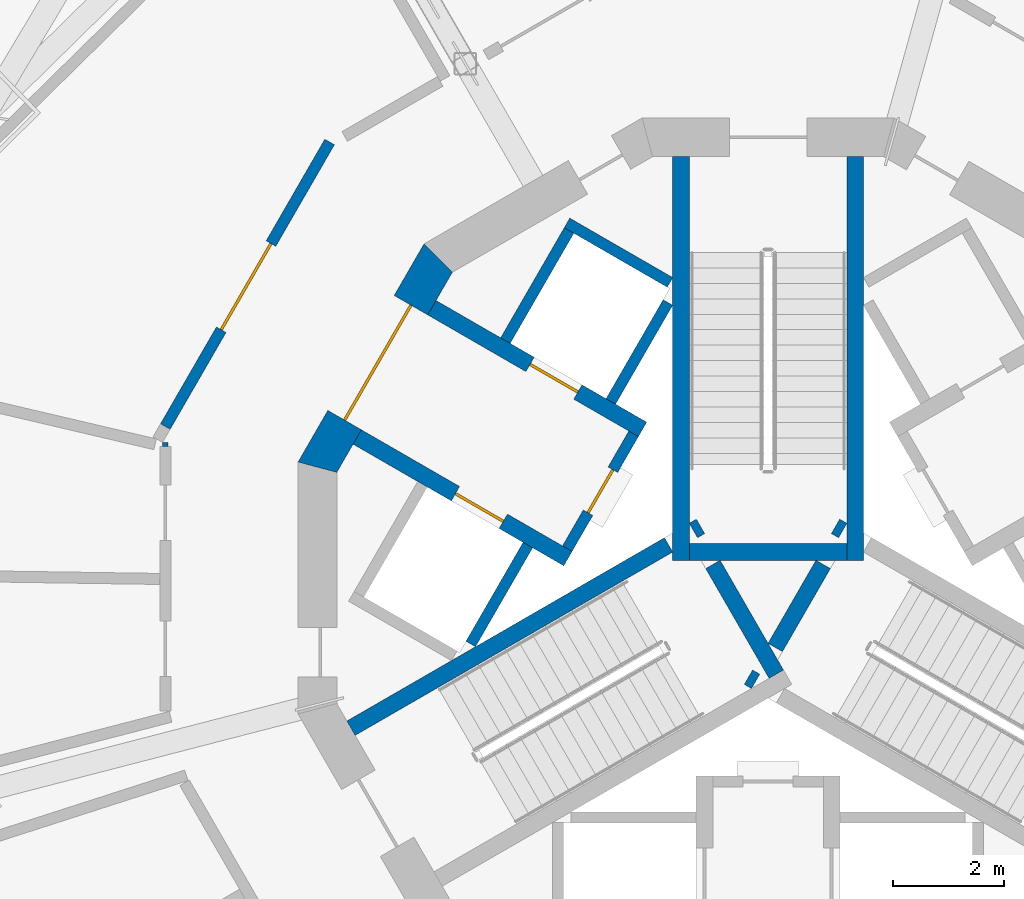
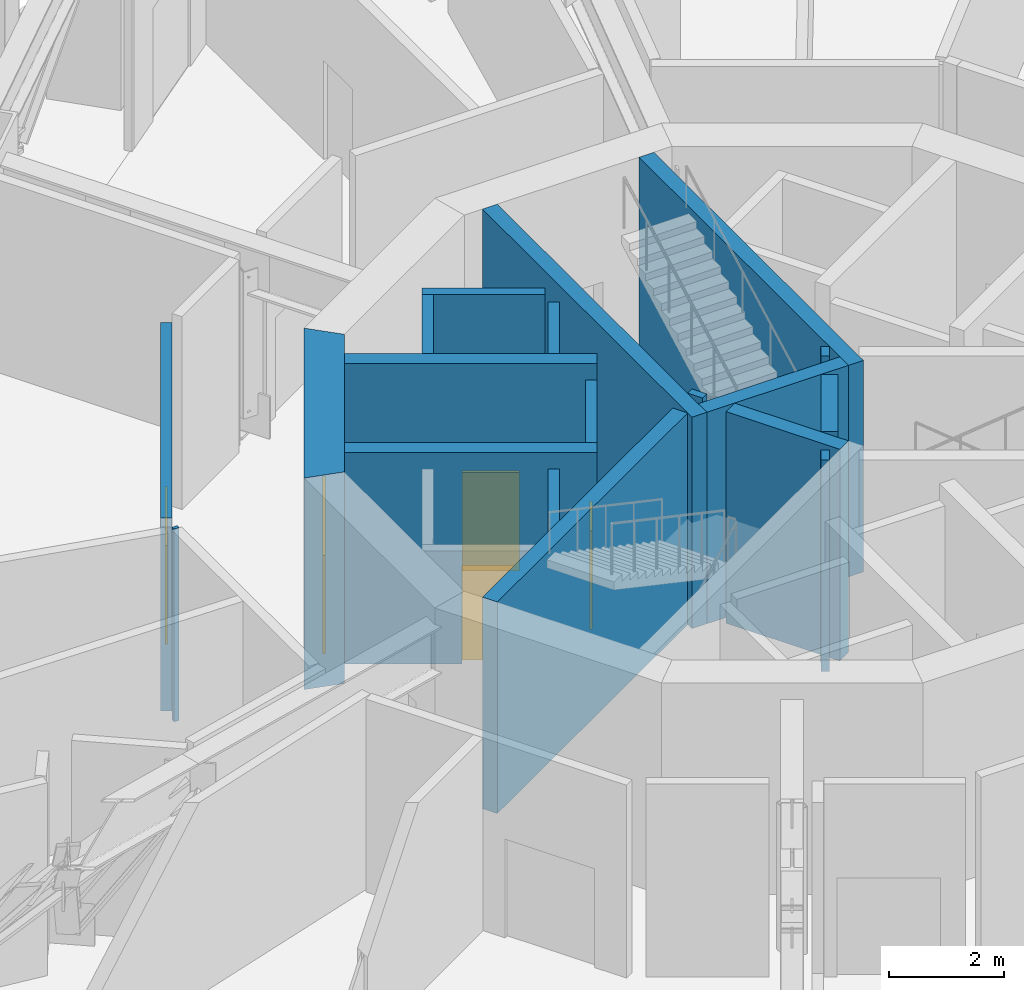
# One storey, part 11 of 27: 19 walls, 5 doors, 5 openings.
"""IFC4 building model written with IfcOpenShell, lengths in metres."""

from ifc_helpers import new_model, si_unit, direction, frame, frame_2d, origin, place, context, subcontext, project, spatial, polyline, rectangle, outline, extrude, material, layer, layer_set, type_object, element, fill, save


model = new_model("IFC4")

# Units and contexts
model_context = context("Model", 3, precision=1e-05, world=origin(), true_north=direction((0.0, 1.0)))
body_context = subcontext(model_context, "Body", "Model", "MODEL_VIEW")
ifc_project = project(units=[si_unit("LENGTHUNIT", "METRE"), si_unit("AREAUNIT", "SQUARE_METRE"), si_unit("VOLUMEUNIT", "CUBIC_METRE"), si_unit("PLANEANGLEUNIT", "RADIAN"), si_unit("MASSUNIT", "GRAM", prefix="KILO")], contexts=[model_context])

# Site, building, storey
site_placement = place(None, origin())
site = spatial("IfcSite", under=ifc_project, at=site_placement, CompositionType="ELEMENT")
building_placement = place(site_placement, origin())
building = spatial("IfcBuilding", under=site, at=building_placement, Name="Trine Commons Tower", CompositionType="ELEMENT")
storey_placement = place(building_placement, frame((0.0, 0.0, 230.39990234375)))
storey = spatial("IfcBuildingStorey", under=building, at=storey_placement, Name="L60", CompositionType="ELEMENT", Elevation=230.39990234375)

# Wall, opening, door
ifc_material_1 = material(Name="Plasterboard on steel stud", Category="steel")
ifc_layer_1 = layer(ifc_material_1, 0.199951171875)
ifc_layer_set_1 = layer_set([ifc_layer_1], Name="Plasterboard on steel stud")
wall_type_1 = type_object("IfcWallType", Name="Fire wall 200 mm, EI 120", PredefinedType="PARTITIONING", material=ifc_layer_set_1)
wall_1_placement = place(storey_placement, frame((72.070556640625, 70.566162109375, 0.0), z_axis=(0.0, 0.0, 1.0), x_axis=(-0.499992780121, -0.866029572143, 0.0)))
wall_1 = element("IfcWall", 1, at=wall_1_placement, inside=storey, type_object=wall_type_1, Name="Partition M60018", PredefinedType="PARTITIONING", context=body_context, shape_type="SweptSolid", body=[
    extrude(rectangle(XDim=5.94140625, YDim=0.199951171875, at=frame_2d((2.970703125, 0.0))), origin(), (0.0, 0.0, 1.0), 4.10009765625),
])
opening_1_placement = place(wall_1_placement, frame((2.12060546875, 0.0, 0.0)))
opening_1 = element("IfcOpeningElement", 2, at=opening_1_placement, cuts=wall_1, Name="Opening D-M6004", PredefinedType="OPENING", context=body_context, shape_type="SweptSolid", body=[
    extrude(rectangle(XDim=1.800048828125, YDim=2.10009765625, at=frame_2d((0.89990234375, 1.050048828125))), frame((0.0, 0.10986328125, 0.0), z_axis=(0.0, -1.0, 0.0), x_axis=(1.0, 0.0, 0.0)), (0.0, 0.0, 1.0), 0.219970703125),
])
ifc_material_2 = material(Name="Timber fire door set", Category="wood")
door_type_1 = type_object("IfcDoorType", Name="Double swing door 1800x2100, FD60", OperationType="DOUBLE_DOOR_DOUBLE_SWING", PredefinedType="DOOR", material=ifc_material_2)
door_1_placement = place(opening_1_placement, origin())
door_1 = element("IfcDoor", 3, at=door_1_placement, inside=storey, type_object=door_type_1, Name="Door D-M6004", OperationType="DOUBLE_DOOR_DOUBLE_SWING", OverallHeight=2.10009765625, OverallWidth=1.800048828125, PredefinedType="DOOR", context=body_context, shape_type="SweptSolid", body=[
    extrude(rectangle(XDim=1.800048828125, YDim=2.10009765625, at=frame_2d((0.89990234375, 1.050048828125))), frame((0.0, 0.02490234375, 0.0), z_axis=(0.0, -1.0, 0.0), x_axis=(1.0, 0.0, 0.0)), (0.0, 0.0, 1.0), 0.050048828125),
])
fill(opening_1, door_1)

ifc_material_3 = material(Name="Fire-rated gypsum shaft wall system")
ifc_layer_2 = layer(ifc_material_3, 0.199951171875)
ifc_layer_set_2 = layer_set([ifc_layer_2], Name="Fire-rated gypsum shaft wall system")
wall_type_2 = type_object("IfcWallType", Name="Lobby end wall 200 mm, EI 120", PredefinedType="PARTITIONING", material=ifc_layer_set_2)
wall_2_placement = place(storey_placement, frame((77.569091796875, 65.2890625, 0.0), z_axis=(0.0, 0.0, 1.0), x_axis=(-0.50012165622, -0.865955154139, 0.0)))
wall_2 = element("IfcWall", 4, at=wall_2_placement, inside=storey, type_object=wall_type_2, Name="Lobby end wall L60", PredefinedType="PARTITIONING", context=body_context, shape_type="SweptSolid", body=[
    extrude(rectangle(XDim=2.39990234375, YDim=0.199951171875, at=frame_2d((1.199951171875, 0.0))), origin(), (0.0, 0.0, 1.0), 4.150146484375),
])
opening_2_placement = place(wall_2_placement, frame((0.749755859375, 0.0, 0.0)))
opening_2 = element("IfcOpeningElement", 5, at=opening_2_placement, cuts=wall_2, Name="Opening K17.07", PredefinedType="OPENING", context=body_context, shape_type="SweptSolid", body=[
    extrude(rectangle(XDim=0.89990234375, YDim=2.10009765625, at=frame_2d((0.449951171875, 1.050048828125))), frame((0.0, 0.10986328125, 0.0), z_axis=(0.0, -1.0, 0.0), x_axis=(1.0, 0.0, 0.0)), (0.0, 0.0, 1.0), 0.219970703125),
])
ifc_material_4 = material(Name="Steel door leaf, fire-rated", Category="steel")
door_type_2 = type_object("IfcDoorType", Name="Riser access door, single leaf 900 x 2100, FD60", OperationType="SINGLE_SWING_LEFT", PredefinedType="DOOR", material=ifc_material_4)
door_2_placement = place(opening_2_placement, frame((0.89990234375, 0.0, 0.0), z_axis=(0.0, 0.0, 1.0), x_axis=(-1.0, 0.0, 0.0)))
door_2 = element("IfcDoor", 6, at=door_2_placement, inside=storey, type_object=door_type_2, Name="Riser door, Mechanical riser L60", OperationType="SINGLE_SWING_RIGHT", OverallHeight=2.10009765625, OverallWidth=0.89990234375, PredefinedType="DOOR", context=body_context, shape_type="SweptSolid", body=[
    extrude(rectangle(XDim=0.89990234375, YDim=2.10009765625, at=frame_2d((0.449951171875, 1.050048828125))), frame((0.0, 0.02490234375, 0.0), z_axis=(0.0, -1.0, 0.0), x_axis=(1.0, 0.0, 0.0)), (0.0, 0.0, 1.0), 0.050048828125),
])
fill(opening_2, door_2)

# Wall
ifc_layer_3 = layer(ifc_material_1, 0.10009765625)
ifc_layer_set_3 = layer_set([ifc_layer_3], Name="Plasterboard on steel stud")
wall_type_3 = type_object("IfcWallType", Name="Partition wall 100 mm stud, not rated", PredefinedType="PARTITIONING", material=ifc_layer_set_3)
wall_3_placement = place(storey_placement, frame((69.099853515625, 65.057861328125, 0.0), z_axis=(0.0, 0.0, 1.0), x_axis=(0.0, 1.0, 0.0)))
element("IfcWall", 7, at=wall_3_placement, inside=storey, type_object=wall_type_3, Name="Partition M60017", PredefinedType="PARTITIONING", context=body_context, shape_type="SweptSolid", body=[
    extrude(rectangle(XDim=0.072265625, YDim=0.10009765625, at=frame_2d((0.0361328125, 0.0))), origin(), (0.0, 0.0, 1.0), 4.10009765625),
])

# Wall, opening, door
ifc_material_5 = material(Name="Concrete C50/60", Category="concrete")
ifc_layer_4 = layer(ifc_material_5, 0.300048828125)
ifc_layer_set_4 = layer_set([ifc_layer_4], Name="Concrete C50/60")
wall_type_4 = type_object("IfcWallType", Name="RC shear wall 300 mm, C50/60", PredefinedType="SHEAR", material=ifc_layer_set_4)
wall_4_placement = place(storey_placement, frame((76.381103515625, 63.031005859375, 0.0), z_axis=(0.0, 0.0, 1.0), x_axis=(-0.866059941101, 0.499940174841, 0.0)))
wall_4 = element("IfcWall", 8, at=wall_4_placement, inside=storey, type_object=wall_type_4, Name="Core cross wall SWC-01 L60", PredefinedType="SHEAR", context=body_context, shape_type="SweptSolid", body=[
    extrude(rectangle(XDim=4.400390625, YDim=0.300048828125, at=frame_2d((2.2001953125, 0.0))), origin(), (0.0, 0.0, 1.0), 4.5),
])
opening_3_placement = place(wall_4_placement, frame((1.350341796875, 0.0, 0.0)))
opening_3 = element("IfcOpeningElement", 9, at=opening_3_placement, cuts=wall_4, Name="Opening LD7", PredefinedType="OPENING", context=body_context, shape_type="SweptSolid", body=[
    extrude(rectangle(XDim=1.0, YDim=2.10009765625, at=frame_2d((0.5, 1.050048828125))), frame((0.0, 0.159912109375, 0.0), z_axis=(0.0, -1.0, 0.0), x_axis=(1.0, 0.0, 0.0)), (0.0, 0.0, 1.0), 0.320068359375),
])
ifc_material_6 = material(Name="Stainless steel sliding door leaves", Category="steel")
door_type_3 = type_object("IfcDoorType", Name="Lift landing door, centre-opening sliding 1000 x 2100, FD90", OperationType="DOUBLE_DOOR_SLIDING", PredefinedType="DOOR", material=ifc_material_6)
door_3_placement = place(opening_3_placement, origin())
door_3 = element("IfcDoor", 10, at=door_3_placement, inside=storey, type_object=door_type_3, Name="Lift landing door HR3 L60", OperationType="DOUBLE_DOOR_SLIDING", OverallHeight=2.10009765625, OverallWidth=1.0, PredefinedType="DOOR", context=body_context, shape_type="SweptSolid", body=[
    extrude(rectangle(XDim=1.0, YDim=2.10009765625, at=frame_2d((0.5, 1.050048828125))), frame((0.0, 0.02490234375, 0.0), z_axis=(0.0, -1.0, 0.0), x_axis=(1.0, 0.0, 0.0)), (0.0, 0.0, 1.0), 0.050048828125),
])
fill(opening_3, door_3)

wall_5_placement = place(storey_placement, frame((77.73095703125, 65.368896484375, 0.0), z_axis=(0.0, 0.0, 1.0), x_axis=(-0.866035918664, 0.499981787252, 0.0)))
wall_5 = element("IfcWall", 11, at=wall_5_placement, inside=storey, type_object=wall_type_4, Name="Core cross wall SWC-02 L60", PredefinedType="SHEAR", context=body_context, shape_type="SweptSolid", body=[
    extrude(rectangle(XDim=4.400634765625, YDim=0.300048828125, at=frame_2d((2.2001953125, 0.0))), origin(), (0.0, 0.0, 1.0), 4.5),
])
opening_4_placement = place(wall_5_placement, frame((1.3505859375, 0.0, 0.0)))
opening_4 = element("IfcOpeningElement", 12, at=opening_4_placement, cuts=wall_5, Name="Opening LD8", PredefinedType="OPENING", context=body_context, shape_type="SweptSolid", body=[
    extrude(rectangle(XDim=1.0, YDim=2.10009765625, at=frame_2d((0.5, 1.050048828125))), frame((0.0, 0.159912109375, 0.0), z_axis=(0.0, -1.0, 0.0), x_axis=(1.0, 0.0, 0.0)), (0.0, 0.0, 1.0), 0.320068359375),
])
door_4_placement = place(opening_4_placement, origin())
door_4 = element("IfcDoor", 13, at=door_4_placement, inside=storey, type_object=door_type_3, Name="Lift landing door HR4 L60", OperationType="DOUBLE_DOOR_SLIDING", OverallHeight=2.10009765625, OverallWidth=1.0, PredefinedType="DOOR", context=body_context, shape_type="SweptSolid", body=[
    extrude(rectangle(XDim=1.0, YDim=2.10009765625, at=frame_2d((0.5, 1.050048828125))), frame((0.0, 0.02490234375, 0.0), z_axis=(0.0, -1.0, 0.0), x_axis=(1.0, 0.0, 0.0)), (0.0, 0.0, 1.0), 0.050048828125),
])
fill(opening_4, door_4)

# Walls
wall_6_placement = place(storey_placement, frame((78.199951171875, 63.280029296875, 0.0), z_axis=(0.0, 0.0, 1.0), x_axis=(-0.866009627307, -0.500027324665, 0.0)))
element("IfcWall", 14, at=wall_6_placement, inside=storey, type_object=wall_type_4, Name="Core cross wall SWC-07 L60", PredefinedType="SHEAR", context=body_context, shape_type="SweptSolid", body=[
    extrude(rectangle(XDim=6.631591796875, YDim=0.300048828125, at=frame_2d((3.31591796875, 0.0))), origin(), (0.0, 0.0, 1.0), 4.5),
])
wall_7_placement = place(storey_placement, frame((78.425048828125, 63.0009765625, 0.0), z_axis=(0.0, 0.0, 1.0), x_axis=(0.0, 1.0, 0.0)))
element("IfcWall", 15, at=wall_7_placement, inside=storey, type_object=wall_type_4, Name="Core cross wall SWC-08 L60", PredefinedType="SHEAR", context=body_context, shape_type="SweptSolid", body=[
    extrude(rectangle(XDim=7.299072265625, YDim=0.300048828125, at=frame_2d((3.6494140625, 0.0))), origin(), (0.0, 0.0, 1.0), 4.5),
])
wall_8_placement = place(storey_placement, frame((78.779052734375, 63.614013671875, 0.0), z_axis=(0.0, 0.0, 1.0), x_axis=(-0.867737973955, -0.497021939713, 0.0)))
element("IfcWall", 16, at=wall_8_placement, inside=storey, type_object=wall_type_4, Name="Core cross wall SWC-09 L60", PredefinedType="SHEAR", context=body_context, shape_type="SweptSolid", body=[
    extrude(rectangle(XDim=0.14892578125, YDim=0.300048828125, at=frame_2d((0.074462890625, 0.0))), origin(), (0.0, 0.0, 1.0), 4.5),
])
wall_9_placement = place(storey_placement, frame((79.0029296875, 62.926025390625, 0.0), z_axis=(0.0, 0.0, 1.0), x_axis=(0.499965247104, -0.866045467449, 0.0)))
element("IfcWall", 17, at=wall_9_placement, inside=storey, type_object=wall_type_4, Name="Core cross wall SWC-10 L60", PredefinedType="SHEAR", context=body_context, shape_type="SweptSolid", body=[
    extrude(rectangle(XDim=2.292236328125, YDim=0.300048828125, at=frame_2d((1.14599609375, 0.0))), origin(), (0.0, 0.0, 1.0), 4.5),
])
wall_10_placement = place(storey_placement, frame((79.64599609375, 60.885986328125, 0.0), z_axis=(0.0, 0.0, 1.0), x_axis=(0.867331893649, -0.497730234424, 0.0)))
element("IfcWall", 18, at=wall_10_placement, inside=storey, type_object=wall_type_4, Name="Core cross wall SWC-11 L60", PredefinedType="SHEAR", context=body_context, shape_type="SweptSolid", body=[
    extrude(rectangle(XDim=0.148681640625, YDim=0.300048828125, at=frame_2d((0.07421875, 0.0))), origin(), (0.0, 0.0, 1.0), 4.5),
])
wall_11_placement = place(storey_placement, frame((80.1298828125, 61.424072265625, 0.0), z_axis=(0.0, 0.0, 1.0), x_axis=(0.500014901547, 0.866016800201, 0.0)))
element("IfcWall", 19, at=wall_11_placement, inside=storey, type_object=wall_type_4, Name="Core cross wall SWC-12 L60", PredefinedType="SHEAR", context=body_context, shape_type="SweptSolid", body=[
    extrude(rectangle(XDim=1.734375, YDim=0.300048828125, at=frame_2d((0.8671875, 0.0))), origin(), (0.0, 0.0, 1.0), 4.5),
])
wall_12_placement = place(storey_placement, frame((81.220947265625, 63.614013671875, 0.0), z_axis=(0.0, 0.0, 1.0), x_axis=(0.867737973955, -0.497021939713, 0.0)))
element("IfcWall", 20, at=wall_12_placement, inside=storey, type_object=wall_type_4, Name="Core cross wall SWC-15 L60", PredefinedType="SHEAR", context=body_context, shape_type="SweptSolid", body=[
    extrude(rectangle(XDim=0.14892578125, YDim=0.300048828125, at=frame_2d((0.074462890625, 0.0))), origin(), (0.0, 0.0, 1.0), 4.5),
])
wall_13_placement = place(storey_placement, frame((81.425048828125, 63.15087890625, 0.0), z_axis=(0.0, 0.0, 1.0), x_axis=(-1.0, 0.0, 0.0)))
element("IfcWall", 21, at=wall_13_placement, inside=storey, type_object=wall_type_4, Name="Core cross wall SWC-16 L60", PredefinedType="SHEAR", context=body_context, shape_type="SweptSolid", body=[
    extrude(rectangle(XDim=2.85009765625, YDim=0.300048828125, at=frame_2d((1.425048828125, 0.0))), origin(), (0.0, 0.0, 1.0), 4.5),
])
wall_14_placement = place(storey_placement, frame((81.574951171875, 63.0009765625, 0.0), z_axis=(0.0, 0.0, 1.0), x_axis=(0.0, 1.0, 0.0)))
element("IfcWall", 22, at=wall_14_placement, inside=storey, type_object=wall_type_4, Name="Core cross wall SWC-17 L60", PredefinedType="SHEAR", context=body_context, shape_type="SweptSolid", body=[
    extrude(rectangle(XDim=7.299072265625, YDim=0.300048828125, at=frame_2d((3.6494140625, 0.0))), origin(), (0.0, 0.0, 1.0), 4.5),
])

# Wall, opening, door
ifc_layer_5 = layer(ifc_material_5, 0.699951171875)
ifc_layer_set_5 = layer_set([ifc_layer_5], Name="Concrete C50/60")
wall_type_5 = type_object("IfcWallType", Name="RC shear wall 700 mm, C50/60", PredefinedType="SHEAR", material=ifc_layer_set_5)
wall_15_placement = place(storey_placement, frame((74.08056640625, 68.547607421875, 0.0), z_axis=(0.0, 0.0, 1.0), x_axis=(-0.499983800959, -0.866034756103, 0.0)))
wall_15 = element("IfcWall", 23, at=wall_15_placement, inside=storey, type_object=wall_type_5, Name="Core wall CWG-06 L60", PredefinedType="SHEAR", context=body_context, shape_type="SweptSolid", body=[
    extrude(outline(polyline([(0.0, -0.35009765625), (4.55517578125, -0.35009765625), (4.36767578125, 0.35009765625), (0.1875, 0.35009765625), (0.0, -0.35009765625)])), origin(), (0.0, 0.0, 1.0), 4.5),
])
opening_5_placement = place(wall_15_placement, frame((1.077392578125, 0.0, 0.0)))
opening_5 = element("IfcOpeningElement", 24, at=opening_5_placement, cuts=wall_15, Name="Opening K17.06", PredefinedType="OPENING", context=body_context, shape_type="SweptSolid", body=[
    extrude(rectangle(XDim=2.39990234375, YDim=2.10009765625, at=frame_2d((1.199951171875, 1.050048828125))), frame((0.0, 0.35986328125, 0.0), z_axis=(0.0, -1.0, 0.0), x_axis=(1.0, 0.0, 0.0)), (0.0, 0.0, 1.0), 0.719970703125),
])
ifc_material_7 = material(Name="Steel door leaves, fire-rated", Category="steel")
door_type_4 = type_object("IfcDoorType", Name="Lobby door, double leaf 2400 x 2100, FD60", OperationType="DOUBLE_DOOR_SINGLE_SWING", PredefinedType="DOOR", material=ifc_material_7)
door_5_placement = place(opening_5_placement, origin())
door_5 = element("IfcDoor", 25, at=door_5_placement, inside=storey, type_object=door_type_4, Name="Lobby door, Passenger lift lobby B L60", OperationType="DOUBLE_DOOR_SINGLE_SWING", OverallHeight=2.10009765625, OverallWidth=2.39990234375, PredefinedType="DOOR", context=body_context, shape_type="SweptSolid", body=[
    extrude(rectangle(XDim=2.39990234375, YDim=2.10009765625, at=frame_2d((1.199951171875, 1.050048828125))), frame((0.0, 0.02490234375, 0.0), z_axis=(0.0, -1.0, 0.0), x_axis=(1.0, 0.0, 0.0)), (0.0, 0.0, 1.0), 0.050048828125),
])
fill(opening_5, door_5)

# Walls
ifc_layer_6 = layer(ifc_material_3, 0.199951171875)
ifc_layer_set_6 = layer_set([ifc_layer_6], Name="Fire-rated gypsum shaft wall system")
wall_type_6 = type_object("IfcWallType", Name="Shaft wall 200 mm, EI 120", PredefinedType="PARTITIONING", material=ifc_layer_set_6)
wall_16_placement = place(storey_placement, frame((75.2509765625, 66.97412109375, 0.0), z_axis=(0.0, 0.0, 1.0), x_axis=(0.500136062276, 0.86594683394, 0.0)))
element("IfcWall", 26, at=wall_16_placement, inside=storey, type_object=wall_type_6, Name="Shaft wall L60", PredefinedType="PARTITIONING", context=body_context, shape_type="SweptSolid", body=[
    extrude(rectangle(XDim=2.299072265625, YDim=0.199951171875, at=frame_2d((1.1494140625, 0.0))), origin(), (0.0, 0.0, 1.0), 4.150146484375),
])
wall_17_placement = place(storey_placement, frame((75.656005859375, 63.27587890625, 0.0), z_axis=(0.0, 0.0, 1.0), x_axis=(-0.500271688072, -0.86586848777, 0.0)))
element("IfcWall", 27, at=wall_17_placement, inside=storey, type_object=wall_type_6, Name="Shaft wall L60", PredefinedType="PARTITIONING", context=body_context, shape_type="SweptSolid", body=[
    extrude(rectangle(XDim=2.064697265625, YDim=0.199951171875, at=frame_2d((1.0322265625, 0.0))), origin(), (0.0, 0.0, 1.0), 4.150146484375),
])
wall_18_placement = place(storey_placement, frame((77.156005859375, 65.8740234375, 0.0), z_axis=(0.0, 0.0, 1.0), x_axis=(0.499865770674, 0.866102887253, 0.0)))
element("IfcWall", 28, at=wall_18_placement, inside=storey, type_object=wall_type_6, Name="Shaft wall L60", PredefinedType="PARTITIONING", context=body_context, shape_type="SweptSolid", body=[
    extrude(rectangle(XDim=2.064453125, YDim=0.199951171875, at=frame_2d((1.0322265625, 0.0))), origin(), (0.0, 0.0, 1.0), 4.150146484375),
])
wall_19_placement = place(storey_placement, frame((78.22509765625, 68.028076171875, 0.0), z_axis=(0.0, 0.0, 1.0), x_axis=(-0.866130725101, 0.499817533742, 0.0)))
element("IfcWall", 29, at=wall_19_placement, inside=storey, type_object=wall_type_6, Name="Shaft wall L60", PredefinedType="PARTITIONING", context=body_context, shape_type="SweptSolid", body=[
    extrude(rectangle(XDim=2.148681640625, YDim=0.199951171875, at=frame_2d((1.07421875, 0.0))), origin(), (0.0, 0.0, 1.0), 4.150146484375),
])

save(model, "model.ifc")
